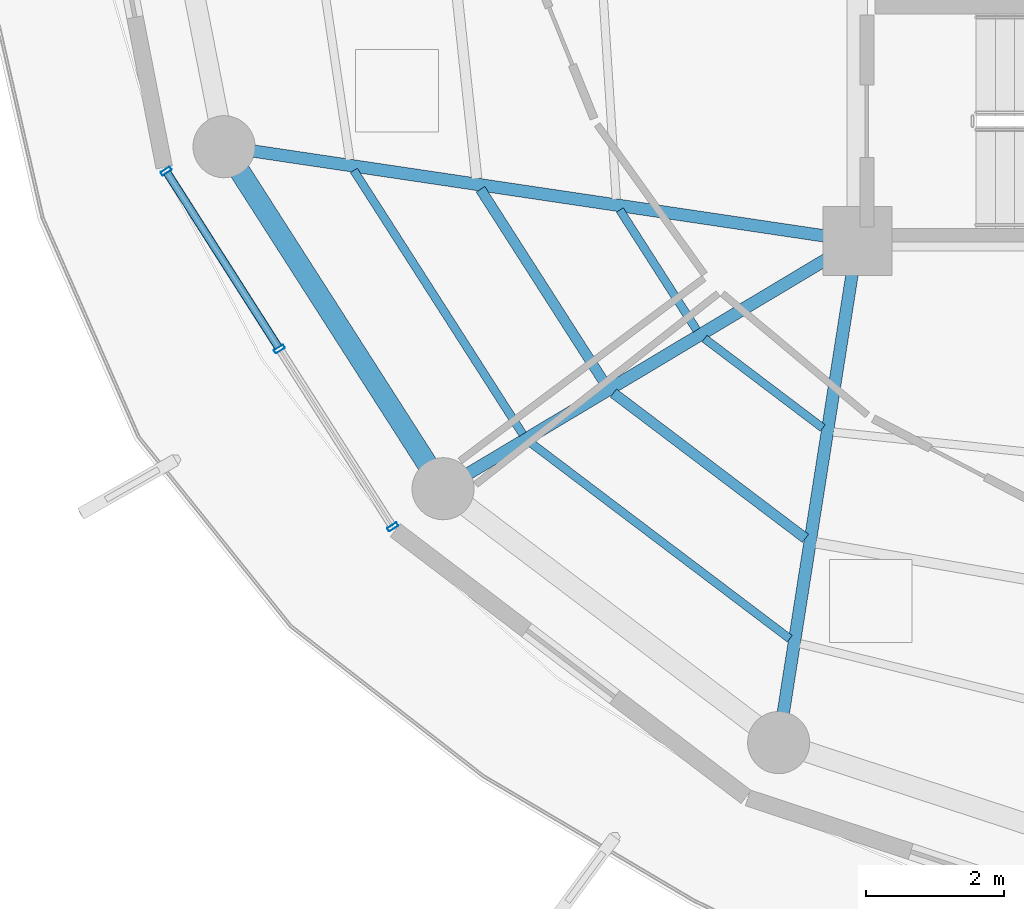
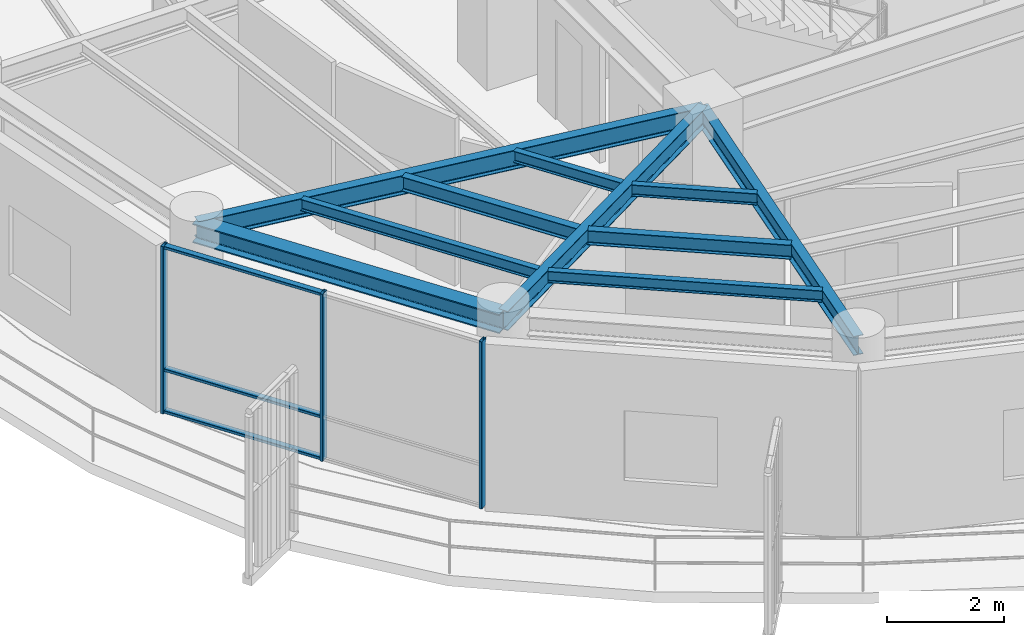
# One storey, part 2 of 22: 10 beams, 6 members, 1 element without a shape of its own.
"""IFC4 building model written with IfcOpenShell, lengths in metres."""

from ifc_helpers import new_model, si_unit, direction, frame, origin, origin_2d, place, context, subcontext, project, spatial, hollow_rectangle, i_section, extrude, material, layer, layer_set, material_profile, profile_set, type_object, element, aggregate, save


model = new_model("IFC4")

# Units and contexts
model_context = context("Model", 3, precision=1e-05, world=origin(), true_north=direction((0.0, 1.0)))
body_context = subcontext(model_context, "Body", "Model", "MODEL_VIEW")
ifc_project = project(units=[si_unit("LENGTHUNIT", "METRE"), si_unit("AREAUNIT", "SQUARE_METRE"), si_unit("VOLUMEUNIT", "CUBIC_METRE"), si_unit("PLANEANGLEUNIT", "RADIAN"), si_unit("MASSUNIT", "GRAM", prefix="KILO")], contexts=[model_context])

# Site, building, storey
site_placement = place(None, origin())
site = spatial("IfcSite", under=ifc_project, at=site_placement, CompositionType="ELEMENT")
building_placement = place(site_placement, origin())
building = spatial("IfcBuilding", under=site, at=building_placement, Name="Kelanora Arch Commons", CompositionType="ELEMENT")
storey_placement = place(building_placement, frame((0.0, 0.0, 259.949951171875)))
storey = spatial("IfcBuildingStorey", under=building, at=storey_placement, Name="L66", CompositionType="ELEMENT", Elevation=259.949951171875)

# Beams
ifc_material_1 = material(Name="Steel S355", Category="steel")
ifc_material_profile_1 = material_profile(ifc_material_1, i_section(OverallWidth=0.14990234375, OverallDepth=0.300048828125, WebThickness=0.007080078125, FlangeThickness=0.0107421875, FilletRadius=0.014892578125, at=origin_2d()), Name="IPE300")
ifc_profile_set_1 = profile_set([ifc_material_profile_1], Name="Steel S355")
beam_type_1 = type_object("IfcBeamType", Name="BM-JST-01", PredefinedType="JOIST", material=ifc_profile_set_1)
beam_1_placement = place(storey_placement, frame((60.539306640625, 51.74658203125, 3.340087890625), z_axis=(0.539321586177, -0.842099891155, 0.0), x_axis=(0.842099891155, 0.539321586177, 0.0)))
element("IfcBeam", 1, at=beam_1_placement, inside=storey, type_object=beam_type_1, Name="Secondary Chord Joist BJB-20 L66", PredefinedType="JOIST", context=body_context, shape_type="SweptSolid", body=[
    extrude(i_section(OverallWidth=0.14990234375, OverallDepth=0.300048828125, WebThickness=0.007080078125, FlangeThickness=0.0107421875, FilletRadius=0.014892578125, at=origin_2d()), origin(), (0.0, 0.0, 1.0), 3.361572265625),
])
beam_2_placement = place(storey_placement, frame((62.4658203125, 48.79296875, 3.340087890625), z_axis=(0.797499198801, -0.603320004568, 0.0), x_axis=(0.603320004568, 0.797499198801, 0.0)))
element("IfcBeam", 2, at=beam_2_placement, inside=storey, type_object=beam_type_1, Name="Secondary Chord Joist BJB-22 L66", PredefinedType="JOIST", context=body_context, shape_type="SweptSolid", body=[
    extrude(i_section(OverallWidth=0.14990234375, OverallDepth=0.300048828125, WebThickness=0.007080078125, FlangeThickness=0.0107421875, FilletRadius=0.014892578125, at=origin_2d()), origin(), (0.0, 0.0, 1.0), 3.489013671875),
])
ifc_material_profile_2 = material_profile(ifc_material_1, i_section(OverallWidth=0.1201171875, OverallDepth=0.239990234375, WebThickness=0.006103515625, FlangeThickness=0.009765625, FilletRadius=0.014892578125, at=origin_2d()), Name="IPE240")
ifc_profile_set_2 = profile_set([ifc_material_profile_2], Name="Steel S355")
beam_type_2 = type_object("IfcBeamType", Name="BM-JST-02", PredefinedType="JOIST", material=ifc_profile_set_2)
beam_3_placement = place(storey_placement, frame((62.558349609375, 51.446533203125, 3.3701171875), z_axis=(0.539311810315, -0.842106152011, 0.0), x_axis=(0.842106152011, 0.539311810315, 0.0)))
element("IfcBeam", 3, at=beam_3_placement, inside=storey, type_object=beam_type_2, Name="Secondary Chord Joist BJA-20 L66", PredefinedType="JOIST", context=body_context, shape_type="SweptSolid", body=[
    extrude(i_section(OverallWidth=0.1201171875, OverallDepth=0.239990234375, WebThickness=0.006103515625, FlangeThickness=0.009765625, FilletRadius=0.014892578125, at=origin_2d()), origin(), (0.0, 0.0, 1.0), 2.06640625),
])
beam_4_placement = place(storey_placement, frame((58.703857421875, 52.019287109375, 3.3701171875), z_axis=(0.539288735289, -0.842120929552, 0.0), x_axis=(0.842120929552, 0.539288735289, 0.0)))
element("IfcBeam", 4, at=beam_4_placement, inside=storey, type_object=beam_type_2, Name="Secondary Chord Joist BJC-20 L66", PredefinedType="JOIST", context=body_context, shape_type="SweptSolid", body=[
    extrude(i_section(OverallWidth=0.1201171875, OverallDepth=0.239990234375, WebThickness=0.006103515625, FlangeThickness=0.009765625, FilletRadius=0.014892578125, at=origin_2d()), origin(), (0.0, 0.0, 1.0), 4.538818359375),
])
beam_5_placement = place(storey_placement, frame((63.78662109375, 49.583251953125, 3.3701171875), z_axis=(0.797509883882, -0.603305880222, 0.0), x_axis=(0.603305880222, 0.797509883882, 0.0)))
element("IfcBeam", 5, at=beam_5_placement, inside=storey, type_object=beam_type_2, Name="Secondary Chord Joist BJA-22 L66", PredefinedType="JOIST", context=body_context, shape_type="SweptSolid", body=[
    extrude(i_section(OverallWidth=0.1201171875, OverallDepth=0.239990234375, WebThickness=0.006103515625, FlangeThickness=0.009765625, FilletRadius=0.014892578125, at=origin_2d()), origin(), (0.0, 0.0, 1.0), 2.147216796875),
])
beam_6_placement = place(storey_placement, frame((61.26513671875, 48.07421875, 3.3701171875), z_axis=(0.79752302984, -0.60328850219, 0.0), x_axis=(0.60328850219, 0.79752302984, 0.0)))
element("IfcBeam", 6, at=beam_6_placement, inside=storey, type_object=beam_type_2, Name="Secondary Chord Joist BJC-22 L66", PredefinedType="JOIST", context=body_context, shape_type="SweptSolid", body=[
    extrude(i_section(OverallWidth=0.1201171875, OverallDepth=0.239990234375, WebThickness=0.006103515625, FlangeThickness=0.009765625, FilletRadius=0.014892578125, at=origin_2d()), origin(), (0.0, 0.0, 1.0), 4.70849609375),
])
ifc_material_profile_3 = material_profile(ifc_material_1, i_section(OverallWidth=0.179931640625, OverallDepth=0.39990234375, WebThickness=0.008544921875, FlangeThickness=0.013427734375, FilletRadius=0.02099609375, at=origin_2d()), Name="IPE400")
ifc_profile_set_3 = profile_set([ifc_material_profile_3], Name="Steel S355")
beam_type_3 = type_object("IfcBeamType", Name="BM-RAD-Z5", PredefinedType="BEAM", material=ifc_profile_set_3)
beam_7_placement = place(storey_placement, frame((66.0, 51.0, 3.2900390625), z_axis=(-0.989142485564, 0.146959665395, 0.0), x_axis=(-0.146959665395, -0.989142485564, 0.0)))
element("IfcBeam", 7, at=beam_7_placement, inside=storey, type_object=beam_type_3, Name="Radial Floor Girder BR-20 L66", PredefinedType="BEAM", context=body_context, shape_type="SweptSolid", body=[
    extrude(i_section(OverallWidth=0.179931640625, OverallDepth=0.39990234375, WebThickness=0.008544921875, FlangeThickness=0.013427734375, FilletRadius=0.02099609375, at=origin_2d()), origin(), (0.0, 0.0, 1.0), 9.2783203125),
])
beam_8_placement = place(storey_placement, frame((66.0, 51.0, 3.2900390625), z_axis=(-0.858062005744, -0.513546097541, 0.0), x_axis=(0.513546097541, -0.858062005744, 0.0)))
element("IfcBeam", 8, at=beam_8_placement, inside=storey, type_object=beam_type_3, Name="Radial Floor Girder BR-22 L66", PredefinedType="BEAM", context=body_context, shape_type="SweptSolid", body=[
    extrude(i_section(OverallWidth=0.179931640625, OverallDepth=0.39990234375, WebThickness=0.008544921875, FlangeThickness=0.013427734375, FilletRadius=0.02099609375, at=origin_2d()), origin(), (0.0, 0.0, 1.0), 6.99658203125),
])
beam_9_placement = place(storey_placement, frame((66.0, 51.0, 3.2900390625), z_axis=(-0.154855424129, -0.987937142544, 0.0), x_axis=(0.987937142544, -0.154855424129, 0.0)))
element("IfcBeam", 9, at=beam_9_placement, inside=storey, type_object=beam_type_3, Name="Radial Floor Girder BR-24 L66", PredefinedType="BEAM", context=body_context, shape_type="SweptSolid", body=[
    extrude(i_section(OverallWidth=0.179931640625, OverallDepth=0.39990234375, WebThickness=0.008544921875, FlangeThickness=0.013427734375, FilletRadius=0.02099609375, at=origin_2d()), origin(), (0.0, 0.0, 1.0), 7.361083984375),
])
ifc_material_profile_4 = material_profile(ifc_material_1, i_section(OverallWidth=0.300048828125, OverallDepth=0.39990234375, WebThickness=0.013427734375, FlangeThickness=0.02392578125, FilletRadius=0.027099609375, at=origin_2d()), Name="HEB400")
ifc_profile_set_4 = profile_set([ifc_material_profile_4], Name="Steel S355")
beam_type_4 = type_object("IfcBeamType", Name="BM-SPN-Z4", PredefinedType="SPANDREL", material=ifc_profile_set_4)
beam_10_placement = place(storey_placement, frame((56.822509765625, 52.363525390625, 3.2900390625), z_axis=(0.539280851353, -0.842125978322, 0.0), x_axis=(0.842125978322, 0.539280851353, 0.0)))
element("IfcBeam", 10, at=beam_10_placement, inside=storey, type_object=beam_type_4, Name="Perimeter Spandrel Beam BS-20 L66", PredefinedType="SPANDREL", context=body_context, shape_type="SweptSolid", body=[
    extrude(i_section(OverallWidth=0.300048828125, OverallDepth=0.39990234375, WebThickness=0.013427734375, FlangeThickness=0.02392578125, FilletRadius=0.027099609375, at=origin_2d()), origin(), (0.0, 0.0, 1.0), 5.8857421875),
])

# Curtain wall, members
ifc_material_2 = material(Name="Terracotta ceramic-fritted low-E glass and aluminium", Category="masonry")
ifc_layer = layer(ifc_material_2, 0.18994140625)
ifc_layer_set = layer_set([ifc_layer], Name="Terracotta ceramic-fritted low-E glass and aluminium")
curtain_wall_type = type_object("IfcCurtainWallType", Name="CW-SYS-03", PredefinedType="NOTDEFINED", material=ifc_layer_set)
curtain_wall_placement = place(storey_placement, origin())
curtain_wall = element("IfcCurtainWall", 11, at=curtain_wall_placement, inside=storey, type_object=curtain_wall_type, Name="Unitised Curtain Wall L66-B10", PredefinedType="NOTDEFINED")
ifc_material_3 = material(Name="Powder-coated aluminium terracotta", Category="masonry")
ifc_material_profile_5 = material_profile(ifc_material_3, hollow_rectangle(XDim=0.159912109375, YDim=0.06005859375, WallThickness=0.0048828125, InnerFilletRadius=0.0048828125, OuterFilletRadius=0.010009765625, at=origin_2d()), Name="CWM160x60")
ifc_profile_set_5 = profile_set([ifc_material_profile_5], Name="Powder-coated aluminium terracotta")
member_type_1 = type_object("IfcMemberType", Name="CWM-STD", PredefinedType="MULLION", material=ifc_profile_set_5)
member_1_placement = place(storey_placement, frame((55.982177734375, 52.0107421875, 0.0), z_axis=(0.0, 0.0, 1.0), x_axis=(0.843391314545, 0.537299814397, 0.0)))
member_1 = element("IfcMember", 12, at=member_1_placement, type_object=member_type_1, Name="CW-03 mullion 1", PredefinedType="MULLION", context=body_context, shape_type="SweptSolid", body=[
    extrude(hollow_rectangle(XDim=0.159912109375, YDim=0.06005859375, WallThickness=0.0048828125, InnerFilletRadius=0.0048828125, OuterFilletRadius=0.010009765625, at=origin_2d()), origin(), (0.0, 0.0, 1.0), 3.47509765625),
])
member_2_placement = place(storey_placement, frame((57.625, 49.43212890625, 0.0), z_axis=(0.0, 0.0, 1.0), x_axis=(0.843391314545, 0.537299814397, 0.0)))
member_2 = element("IfcMember", 13, at=member_2_placement, type_object=member_type_1, Name="CW-03 mullion 2", PredefinedType="MULLION", context=body_context, shape_type="SweptSolid", body=[
    extrude(hollow_rectangle(XDim=0.159912109375, YDim=0.06005859375, WallThickness=0.0048828125, InnerFilletRadius=0.0048828125, OuterFilletRadius=0.010009765625, at=origin_2d()), origin(), (0.0, 0.0, 1.0), 3.47509765625),
])
member_3_placement = place(storey_placement, frame((59.267578125, 46.853515625, 0.0), z_axis=(0.0, 0.0, 1.0), x_axis=(0.843391314545, 0.537299814397, 0.0)))
member_3 = element("IfcMember", 14, at=member_3_placement, type_object=member_type_1, Name="CW-03 mullion 3", PredefinedType="MULLION", context=body_context, shape_type="SweptSolid", body=[
    extrude(hollow_rectangle(XDim=0.159912109375, YDim=0.06005859375, WallThickness=0.0048828125, InnerFilletRadius=0.0048828125, OuterFilletRadius=0.010009765625, at=origin_2d()), origin(), (0.0, 0.0, 1.0), 3.47509765625),
])
ifc_material_profile_6 = material_profile(ifc_material_3, hollow_rectangle(XDim=0.1201171875, YDim=0.06005859375, WallThickness=0.0048828125, InnerFilletRadius=0.0048828125, OuterFilletRadius=0.010009765625, at=origin_2d()), Name="CWT120x60")
ifc_profile_set_6 = profile_set([ifc_material_profile_6], Name="Powder-coated aluminium terracotta")
member_type_2 = type_object("IfcMemberType", Name="CWT-STD", PredefinedType="USERDEFINED", material=ifc_profile_set_6)
member_4_placement = place(storey_placement, frame((55.998291015625, 51.985595703125, 0.030029296875), z_axis=(0.537307571338, -0.843386372775, 0.0), x_axis=(0.843386372775, 0.537307571338, 0.0)))
member_4 = element("IfcMember", 15, at=member_4_placement, type_object=member_type_2, Name="CW-03 transom 1.1", ObjectType="TRANSOM", PredefinedType="USERDEFINED", context=body_context, shape_type="SweptSolid", body=[
    extrude(hollow_rectangle(XDim=0.1201171875, YDim=0.06005859375, WallThickness=0.0048828125, InnerFilletRadius=0.0048828125, OuterFilletRadius=0.010009765625, at=origin_2d()), origin(), (0.0, 0.0, 1.0), 2.99755859375),
])
member_5_placement = place(storey_placement, frame((55.998291015625, 51.985595703125, 0.900146484375), z_axis=(0.537307571338, -0.843386372775, 0.0), x_axis=(0.843386372775, 0.537307571338, 0.0)))
member_5 = element("IfcMember", 16, at=member_5_placement, type_object=member_type_2, Name="CW-03 transom 1.2", ObjectType="TRANSOM", PredefinedType="USERDEFINED", context=body_context, shape_type="SweptSolid", body=[
    extrude(hollow_rectangle(XDim=0.1201171875, YDim=0.06005859375, WallThickness=0.0048828125, InnerFilletRadius=0.0048828125, OuterFilletRadius=0.010009765625, at=origin_2d()), origin(), (0.0, 0.0, 1.0), 2.99755859375),
])
member_6_placement = place(storey_placement, frame((55.998291015625, 51.985595703125, 3.445068359375), z_axis=(0.537307571338, -0.843386372775, 0.0), x_axis=(0.843386372775, 0.537307571338, 0.0)))
member_6 = element("IfcMember", 17, at=member_6_placement, type_object=member_type_2, Name="CW-03 transom 1.3", ObjectType="TRANSOM", PredefinedType="USERDEFINED", context=body_context, shape_type="SweptSolid", body=[
    extrude(hollow_rectangle(XDim=0.1201171875, YDim=0.06005859375, WallThickness=0.0048828125, InnerFilletRadius=0.0048828125, OuterFilletRadius=0.010009765625, at=origin_2d()), origin(), (0.0, 0.0, 1.0), 2.99755859375),
])
aggregate(curtain_wall, [member_1, member_2, member_3, member_4, member_5, member_6])

save(model, "model.ifc")
